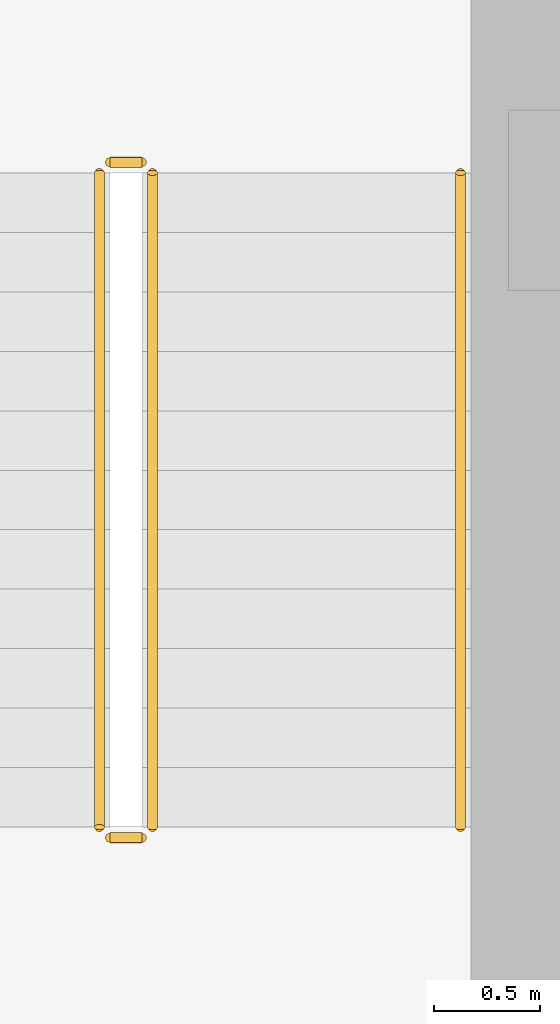
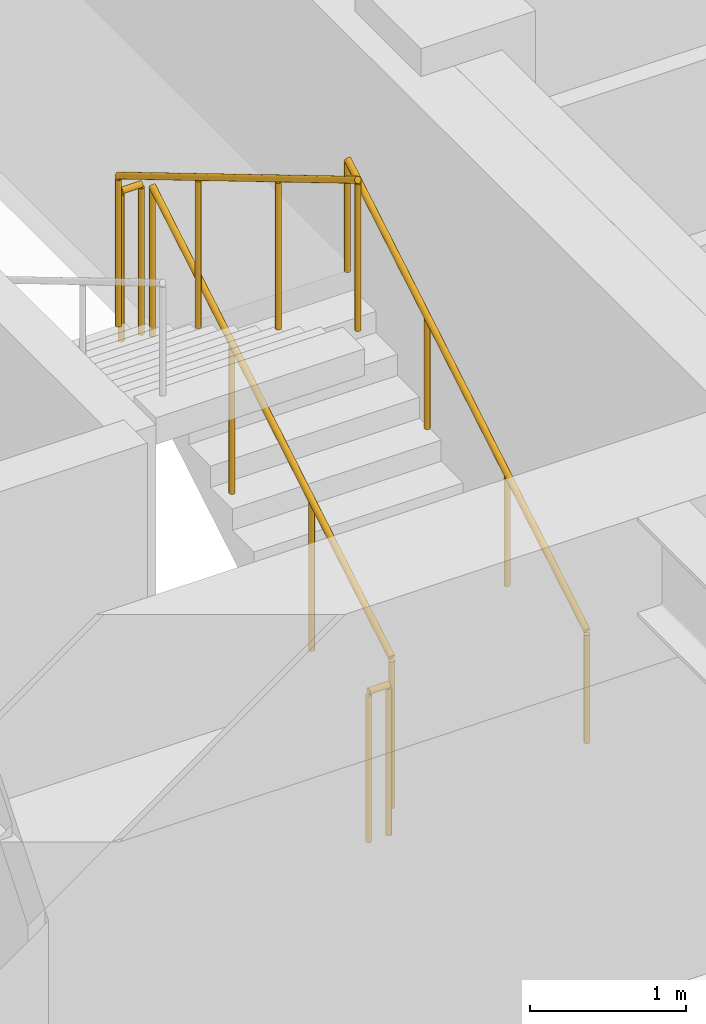
# One storey, part 32 of 35: 5 railings.
"""IFC4 building model written with IfcOpenShell, lengths in metres."""

from ifc_helpers import new_model, si_unit, direction, frame, origin, origin_2d, place, context, subcontext, project, spatial, circle, extrude, source, transform, mapped, material, type_object, element, save


model = new_model("IFC4")

# Units and contexts
model_context = context("Model", 3, precision=1e-05, world=origin(), true_north=direction((0.0, 1.0)))
body_context = subcontext(model_context, "Body", "Model", "MODEL_VIEW")
ifc_project = project(units=[si_unit("LENGTHUNIT", "METRE"), si_unit("AREAUNIT", "SQUARE_METRE"), si_unit("VOLUMEUNIT", "CUBIC_METRE"), si_unit("PLANEANGLEUNIT", "RADIAN"), si_unit("MASSUNIT", "GRAM", prefix="KILO")], contexts=[model_context])

# Site, building, storey
site_placement = place(None, origin())
site = spatial("IfcSite", under=ifc_project, at=site_placement, CompositionType="ELEMENT")
building_placement = place(site_placement, origin())
building = spatial("IfcBuilding", under=site, at=building_placement, Name="Khorayat Bourse Tower", CompositionType="ELEMENT")
storey_placement = place(building_placement, frame((0.0, 0.0, 155.10009765625)))
storey = spatial("IfcBuildingStorey", under=building, at=storey_placement, Name="L35", CompositionType="ELEMENT", Elevation=155.10009765625)

# Railings
ifc_material_1 = material(Name="Powder-coated steel balustrade", Category="steel")
railing_type_1 = type_object("IfcRailingType", Name="RLG-GUARD-1200", PredefinedType="GUARDRAIL", material=ifc_material_1)
shared_shape_1 = source(origin(), body_context, "Body", "SweptSolid", [
    extrude(circle(Radius=0.02392578125, at=origin_2d()), frame((0.0, 0.0, 1.17578125), z_axis=(-1.0, 0.0, 0.0), x_axis=(0.0, -1.0, 0.0)), (0.0, 0.0, 1.0), 0.150146484375),
    extrude(circle(Radius=0.02099609375, at=origin_2d()), origin(), (0.0, 0.0, 1.0), 1.15185546875),
    extrude(circle(Radius=0.02099609375, at=origin_2d()), frame((-0.150146484375, 0.0, 0.0)), (0.0, 0.0, 1.0), 1.15185546875),
])
for number, where, name in (
    (1, (-6.64990234375, -5.820068359375, 2.0), "L35 ST-1 stair guard 2"),
    (2, (-6.64990234375, -9.0, 0.0), "L35 ST-1 stair guard 4"),
):
    element("IfcRailing", number, at=place(storey_placement, frame(where)), inside=storey, type_object=railing_type_1, Name=name, PredefinedType="GUARDRAIL", context=body_context, shape_type="MappedRepresentation", body=[
        mapped(shared_shape_1, transform((0.0, 0.0, 0.0), scale=1.0)),
    ])
shared_shape_2 = source(origin(), body_context, "Body", "SweptSolid", [
    extrude(circle(Radius=0.02392578125, at=origin_2d()), frame((0.0, 0.0, 1.17578125), z_axis=(0.0, 0.859260807169, 0.511537745687), x_axis=(-1.0, 0.0, 0.0)), (0.0, 0.0, 1.0), 3.584228515625),
    extrude(circle(Radius=0.02099609375, at=origin_2d()), origin(), (0.0, 0.0, 1.0), 1.15185546875),
    extrude(circle(Radius=0.02099609375, at=origin_2d()), frame((0.0, 1.026611328125, 0.611083984375)), (0.0, 0.0, 1.0), 1.15185546875),
    extrude(circle(Radius=0.02099609375, at=origin_2d()), frame((0.0, 2.05322265625, 1.222412109375)), (0.0, 0.0, 1.0), 1.15185546875),
    extrude(circle(Radius=0.02099609375, at=origin_2d()), frame((0.0, 3.079833984375, 1.83349609375)), (0.0, 0.0, 1.0), 1.15185546875),
])
railing_1_placement = place(storey_placement, frame((-6.60009765625, -8.949951171875, 0.16650390625)))
element("IfcRailing", 3, at=railing_1_placement, inside=storey, type_object=railing_type_1, Name="L35 ST-1 stair guard 1", PredefinedType="GUARDRAIL", context=body_context, shape_type="MappedRepresentation", body=[
    mapped(shared_shape_2, transform((0.0, 0.0, 0.0), scale=1.0)),
])
shared_shape_3 = source(origin(), body_context, "Body", "SweptSolid", [
    extrude(circle(Radius=0.02392578125, at=origin_2d()), frame((0.0, 0.0, 1.17578125), z_axis=(0.0, -0.859260807169, 0.511537745687), x_axis=(1.0, 0.0, 0.0)), (0.0, 0.0, 1.0), 3.584228515625),
    extrude(circle(Radius=0.02099609375, at=origin_2d()), origin(), (0.0, 0.0, 1.0), 1.15185546875),
    extrude(circle(Radius=0.02099609375, at=origin_2d()), frame((0.0, -1.026611328125, 0.611083984375)), (0.0, 0.0, 1.0), 1.15185546875),
    extrude(circle(Radius=0.02099609375, at=origin_2d()), frame((0.0, -2.05322265625, 1.222412109375)), (0.0, 0.0, 1.0), 1.15185546875),
    extrude(circle(Radius=0.02099609375, at=origin_2d()), frame((0.0, -3.079833984375, 1.83349609375)), (0.0, 0.0, 1.0), 1.15185546875),
])
railing_2_placement = place(storey_placement, frame((-6.85009765625, -5.8701171875, 2.16650390625)))
element("IfcRailing", 4, at=railing_2_placement, inside=storey, type_object=railing_type_1, Name="L35 ST-1 stair guard 3", PredefinedType="GUARDRAIL", context=body_context, shape_type="MappedRepresentation", body=[
    mapped(shared_shape_3, transform((0.0, 0.0, 0.0), scale=1.0)),
])
ifc_material_2 = material(Name="Brushed bronze stainless-steel handrail", Category="steel")
railing_type_2 = type_object("IfcRailingType", Name="RLG-HAND-900", PredefinedType="HANDRAIL", material=ifc_material_2)
shared_shape_4 = source(origin(), body_context, "Body", "SweptSolid", [
    extrude(circle(Radius=0.02392578125, at=origin_2d()), frame((0.0, 0.0, 0.8759765625), z_axis=(0.0, 0.859260807169, 0.511537745687), x_axis=(-1.0, 0.0, 0.0)), (0.0, 0.0, 1.0), 3.584228515625),
    extrude(circle(Radius=0.02099609375, at=origin_2d()), origin(), (0.0, 0.0, 1.0), 0.851806640625),
    extrude(circle(Radius=0.02099609375, at=origin_2d()), frame((0.0, 1.026611328125, 0.611083984375)), (0.0, 0.0, 1.0), 0.851806640625),
    extrude(circle(Radius=0.02099609375, at=origin_2d()), frame((0.0, 2.05322265625, 1.222412109375)), (0.0, 0.0, 1.0), 0.851806640625),
    extrude(circle(Radius=0.02099609375, at=origin_2d()), frame((0.0, 3.079833984375, 1.83349609375)), (0.0, 0.0, 1.0), 0.851806640625),
])
railing_3_placement = place(storey_placement, frame((-5.14990234375, -8.949951171875, 0.16650390625)))
element("IfcRailing", 5, at=railing_3_placement, inside=storey, type_object=railing_type_2, Name="L35 ST-1 stair handrail 1", PredefinedType="HANDRAIL", context=body_context, shape_type="MappedRepresentation", body=[
    mapped(shared_shape_4, transform((0.0, 0.0, 0.0), scale=1.0)),
])

save(model, "model.ifc")
